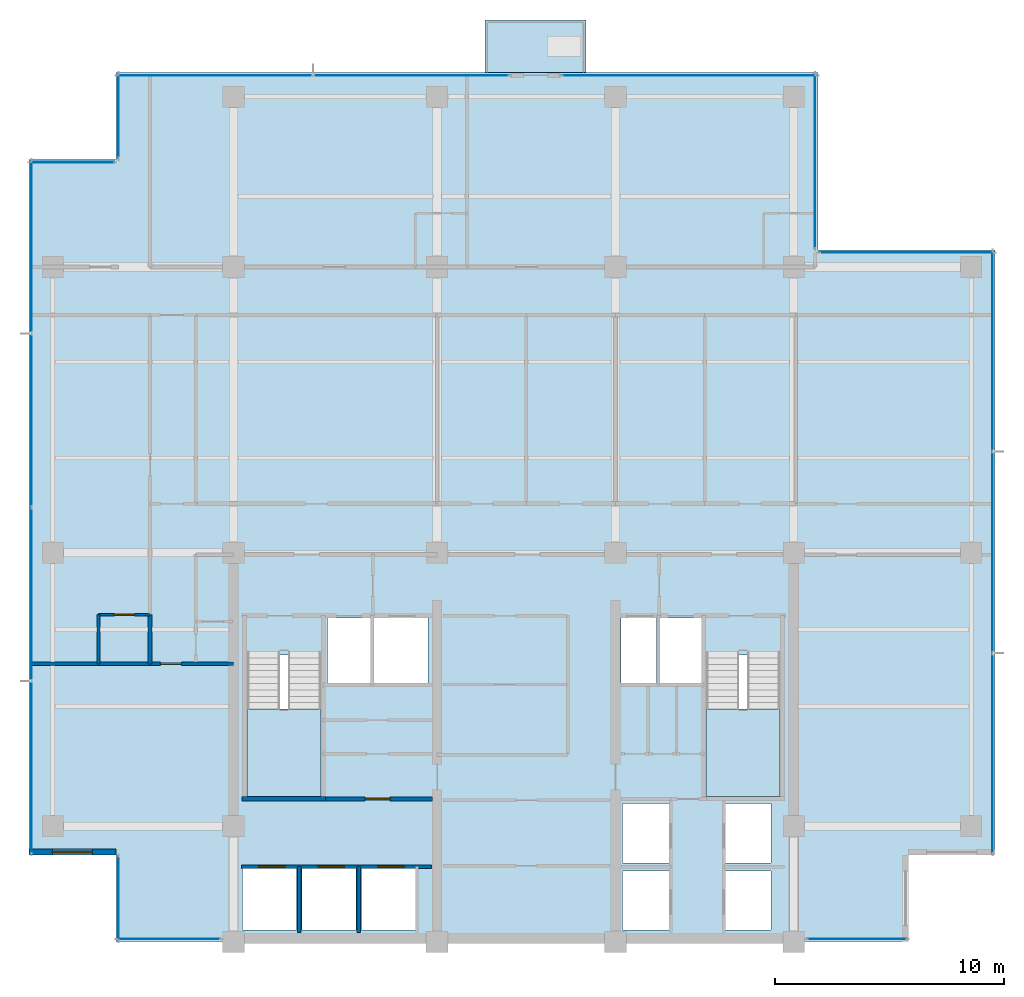
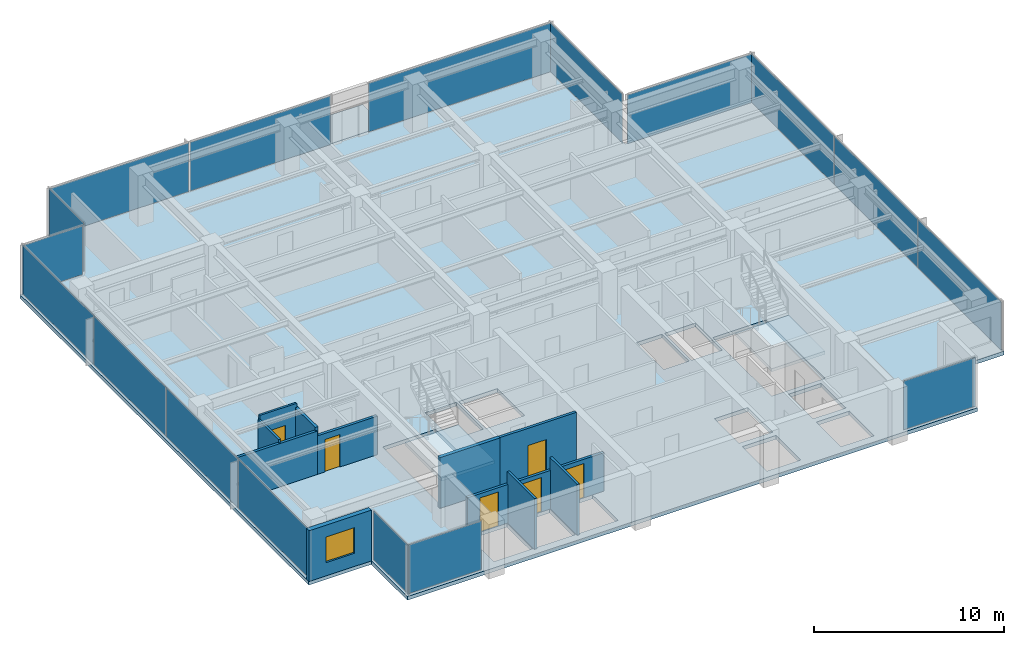
# One storey, part 6 of 15: 17 plates, 11 walls, 6 doors, 4 slabs, 1 window, 7 openings, 13 elements without a shape of their own.
"""IFC4 building model written with IfcOpenShell, lengths in metres."""

from ifc_helpers import new_model, si_unit, direction, frame, frame_2d, origin, origin_2d, place, context, subcontext, project, spatial, polyline, rectangle, outline, extrude, material, layer, layer_set, type_object, element, fill, aggregate, save


model = new_model("IFC4")

# Units and contexts
model_context = context("Model", 3, precision=1e-05, world=origin(), true_north=direction((0.0, 1.0)))
body_context = subcontext(model_context, "Body", "Model", "MODEL_VIEW")
ifc_project = project(units=[si_unit("LENGTHUNIT", "METRE"), si_unit("AREAUNIT", "SQUARE_METRE"), si_unit("VOLUMEUNIT", "CUBIC_METRE"), si_unit("PLANEANGLEUNIT", "RADIAN"), si_unit("MASSUNIT", "GRAM", prefix="KILO")], contexts=[model_context])

# Site, building, storey
site_placement = place(None, origin())
site = spatial("IfcSite", under=ifc_project, at=site_placement, CompositionType="ELEMENT")
building_placement = place(site_placement, origin())
building = spatial("IfcBuilding", under=site, at=building_placement, Name="Qalmaran Belvedere Hotel", CompositionType="ELEMENT")
storey_placement = place(building_placement, frame((0.0, 0.0, 221.39990234375)))
storey = spatial("IfcBuildingStorey", under=building, at=storey_placement, Name="L56", CompositionType="ELEMENT", Elevation=221.39990234375)

# Curtain wall, plate
ifc_material_1 = material(Name="Anodised Bronze Aluminium", Category="aluminium")
ifc_layer_1 = layer(ifc_material_1, 0.18994140625, Name="Anodised Bronze Aluminium")
ifc_layer_set_1 = layer_set([ifc_layer_1], Name="Anodised Bronze Aluminium")
curtain_wall_type = type_object("IfcCurtainWallType", Name="CW5-TOWER-UPPER", PredefinedType="NOTDEFINED", material=ifc_layer_set_1)
curtain_wall_1_placement = place(storey_placement, origin())
curtain_wall_1 = element("IfcCurtainWall", 1, at=curtain_wall_1_placement, inside=storey, type_object=curtain_wall_type, Name="L56 Curtain Wall CW5", PredefinedType="NOTDEFINED")
ifc_material_2 = material(Name="Solar-Control Double Glazing", Category="glass")
ifc_layer_2 = layer(ifc_material_2, 0.028076171875, Name="Solar-Control Double Glazing")
ifc_layer_set_2 = layer_set([ifc_layer_2], Name="Solar-Control Double Glazing")
plate_type = type_object("IfcPlateType", Name="CWP-VISION-28", PredefinedType="CURTAIN_PANEL", material=ifc_layer_set_2)
plate_1_placement = place(storey_placement, frame((17.467529296875, 3.6201171875, 0.065185546875), z_axis=(0.0, 0.0, 1.0), x_axis=(1.0, 0.0, 0.0)))
plate_1 = element("IfcPlate", 2, at=plate_1_placement, type_object=plate_type, Name="CW5 panel 1.1", PredefinedType="CURTAIN_PANEL", context=body_context, shape_type="SweptSolid", body=[
    extrude(rectangle(XDim=4.5048828125, YDim=0.028076171875, at=origin_2d()), origin(), (0.0, 0.0, 1.0), 3.1298828125),
])
aggregate(curtain_wall_1, [plate_1])

curtain_wall_2_placement = place(storey_placement, origin())
curtain_wall_2 = element("IfcCurtainWall", 3, at=curtain_wall_2_placement, inside=storey, type_object=curtain_wall_type, Name="L56 Curtain Wall CW5", PredefinedType="NOTDEFINED")
plate_2_placement = place(storey_placement, frame((47.5576171875, 3.6201171875, 0.065185546875), z_axis=(0.0, 0.0, 1.0), x_axis=(1.0, 0.0, 0.0)))
plate_2 = element("IfcPlate", 4, at=plate_2_placement, type_object=plate_type, Name="CW5 panel 1.1", PredefinedType="CURTAIN_PANEL", context=body_context, shape_type="SweptSolid", body=[
    extrude(rectangle(XDim=4.35498046875, YDim=0.028076171875, at=origin_2d()), origin(), (0.0, 0.0, 1.0), 3.1298828125),
])
aggregate(curtain_wall_2, [plate_2])

# Curtain wall, plates
curtain_wall_3_placement = place(storey_placement, origin())
curtain_wall_3 = element("IfcCurtainWall", 5, at=curtain_wall_3_placement, inside=storey, type_object=curtain_wall_type, Name="L56 Curtain Wall CW5", PredefinedType="NOTDEFINED")
plate_3_placement = place(storey_placement, frame((53.47998046875, 11.724609375, 0.065185546875), z_axis=(0.0, 0.0, 1.0), x_axis=(0.0, 1.0, 0.0)))
plate_3 = element("IfcPlate", 6, at=plate_3_placement, type_object=plate_type, Name="CW5 panel 1.1", PredefinedType="CURTAIN_PANEL", context=body_context, shape_type="SweptSolid", body=[
    extrude(rectangle(XDim=8.71923828125, YDim=0.028076171875, at=origin_2d()), origin(), (0.0, 0.0, 1.0), 3.1298828125),
])
plate_4_placement = place(storey_placement, frame((53.47998046875, 20.52490234375, 0.065185546875), z_axis=(0.0, 0.0, 1.0), x_axis=(0.0, 1.0, 0.0)))
plate_4 = element("IfcPlate", 7, at=plate_4_placement, type_object=plate_type, Name="CW5 panel 2.1", PredefinedType="CURTAIN_PANEL", context=body_context, shape_type="SweptSolid", body=[
    extrude(rectangle(XDim=8.751708984375, YDim=0.028076171875, at=origin_2d()), origin(), (0.0, 0.0, 1.0), 3.1298828125),
])
plate_5_placement = place(storey_placement, frame((53.47998046875, 29.325439453125, 0.065185546875), z_axis=(0.0, 0.0, 1.0), x_axis=(0.0, 1.0, 0.0)))
plate_5 = element("IfcPlate", 8, at=plate_5_placement, type_object=plate_type, Name="CW5 panel 3.1", PredefinedType="CURTAIN_PANEL", context=body_context, shape_type="SweptSolid", body=[
    extrude(rectangle(XDim=8.71923828125, YDim=0.028076171875, at=origin_2d()), origin(), (0.0, 0.0, 1.0), 3.1298828125),
])
aggregate(curtain_wall_3, [plate_3, plate_4, plate_5])

# Curtain wall, plate
curtain_wall_4_placement = place(storey_placement, origin())
curtain_wall_4 = element("IfcCurtainWall", 9, at=curtain_wall_4_placement, inside=storey, type_object=curtain_wall_type, Name="L56 Curtain Wall CW5", PredefinedType="NOTDEFINED")
plate_6_placement = place(storey_placement, frame((49.72509765625, 33.6298828125, 0.065185546875), z_axis=(0.0, 0.0, 1.0), x_axis=(-1.0, 0.0, 0.0)))
plate_6 = element("IfcPlate", 10, at=plate_6_placement, type_object=plate_type, Name="CW5 panel 1.1", PredefinedType="CURTAIN_PANEL", context=body_context, shape_type="SweptSolid", body=[
    extrude(rectangle(XDim=7.6201171875, YDim=0.028076171875, at=origin_2d()), origin(), (0.0, 0.0, 1.0), 3.1298828125),
])
aggregate(curtain_wall_4, [plate_6])

curtain_wall_5_placement = place(storey_placement, origin())
curtain_wall_5 = element("IfcCurtainWall", 11, at=curtain_wall_5_placement, inside=storey, type_object=curtain_wall_type, Name="L56 Curtain Wall CW5", PredefinedType="NOTDEFINED")
plate_7_placement = place(storey_placement, frame((45.72998046875, 37.625, 0.065185546875), z_axis=(0.0, 0.0, 1.0), x_axis=(0.0, 1.0, 0.0)))
plate_7 = element("IfcPlate", 12, at=plate_7_placement, type_object=plate_type, Name="CW5 panel 1.1", PredefinedType="CURTAIN_PANEL", context=body_context, shape_type="SweptSolid", body=[
    extrude(rectangle(XDim=7.6201171875, YDim=0.028076171875, at=origin_2d()), origin(), (0.0, 0.0, 1.0), 3.1298828125),
])
aggregate(curtain_wall_5, [plate_7])

# Curtain wall, plates
curtain_wall_6_placement = place(storey_placement, origin())
curtain_wall_6 = element("IfcCurtainWall", 13, at=curtain_wall_6_placement, inside=storey, type_object=curtain_wall_type, Name="L56 Curtain Wall CW5", PredefinedType="NOTDEFINED")
plate_8_placement = place(storey_placement, frame((28.0712890625, 41.3798828125, 0.065185546875), z_axis=(0.0, 0.0, 1.0), x_axis=(-1.0, 0.0, 0.0)))
plate_8 = element("IfcPlate", 14, at=plate_8_placement, type_object=plate_type, Name="CW5 panel 1.1", PredefinedType="CURTAIN_PANEL", context=body_context, shape_type="SweptSolid", body=[
    extrude(rectangle(XDim=8.527587890625, YDim=0.028076171875, at=origin_2d()), origin(), (0.0, 0.0, 1.0), 3.1298828125),
])
plate_9_placement = place(storey_placement, frame((19.478759765625, 41.3798828125, 0.065185546875), z_axis=(0.0, 0.0, 1.0), x_axis=(-1.0, 0.0, 0.0)))
plate_9 = element("IfcPlate", 15, at=plate_9_placement, type_object=plate_type, Name="CW5 panel 2.1", PredefinedType="CURTAIN_PANEL", context=body_context, shape_type="SweptSolid", body=[
    extrude(rectangle(XDim=8.527587890625, YDim=0.028076171875, at=origin_2d()), origin(), (0.0, 0.0, 1.0), 3.1298828125),
])
aggregate(curtain_wall_6, [plate_8, plate_9])

# Curtain wall, plate
curtain_wall_7_placement = place(storey_placement, origin())
curtain_wall_7 = element("IfcCurtainWall", 16, at=curtain_wall_7_placement, inside=storey, type_object=curtain_wall_type, Name="L56 Curtain Wall CW5", PredefinedType="NOTDEFINED")
plate_10_placement = place(storey_placement, frame((40.22509765625, 41.3798828125, 0.065185546875), z_axis=(0.0, 0.0, 1.0), x_axis=(-1.0, 0.0, 0.0)))
plate_10 = element("IfcPlate", 17, at=plate_10_placement, type_object=plate_type, Name="CW5 panel 1.1", PredefinedType="CURTAIN_PANEL", context=body_context, shape_type="SweptSolid", body=[
    extrude(rectangle(XDim=11.1201171875, YDim=0.028076171875, at=origin_2d()), origin(), (0.0, 0.0, 1.0), 3.1298828125),
])
aggregate(curtain_wall_7, [plate_10])

curtain_wall_8_placement = place(storey_placement, origin())
curtain_wall_8 = element("IfcCurtainWall", 18, at=curtain_wall_8_placement, inside=storey, type_object=curtain_wall_type, Name="L56 Curtain Wall CW5", PredefinedType="NOTDEFINED")
plate_11_placement = place(storey_placement, frame((15.27001953125, 39.60009765625, 0.065185546875), z_axis=(0.0, 0.0, 1.0), x_axis=(0.0, -1.0, 0.0)))
plate_11 = element("IfcPlate", 19, at=plate_11_placement, type_object=plate_type, Name="CW5 panel 1.1", PredefinedType="CURTAIN_PANEL", context=body_context, shape_type="SweptSolid", body=[
    extrude(rectangle(XDim=3.669921875, YDim=0.028076171875, at=origin_2d()), origin(), (0.0, 0.0, 1.0), 3.1298828125),
])
aggregate(curtain_wall_8, [plate_11])

curtain_wall_9_placement = place(storey_placement, origin())
curtain_wall_9 = element("IfcCurtainWall", 20, at=curtain_wall_9_placement, inside=storey, type_object=curtain_wall_type, Name="L56 Curtain Wall CW5", PredefinedType="NOTDEFINED")
plate_12_placement = place(storey_placement, frame((13.25, 37.580078125, 0.065185546875), z_axis=(0.0, 0.0, 1.0), x_axis=(-1.0, 0.0, 0.0)))
plate_12 = element("IfcPlate", 21, at=plate_12_placement, type_object=plate_type, Name="CW5 panel 1.1", PredefinedType="CURTAIN_PANEL", context=body_context, shape_type="SweptSolid", body=[
    extrude(rectangle(XDim=3.669921875, YDim=0.028076171875, at=origin_2d()), origin(), (0.0, 0.0, 1.0), 3.1298828125),
])
aggregate(curtain_wall_9, [plate_12])

# Curtain wall, plates
curtain_wall_10_placement = place(storey_placement, origin())
curtain_wall_10 = element("IfcCurtainWall", 22, at=curtain_wall_10_placement, inside=storey, type_object=curtain_wall_type, Name="L56 Curtain Wall CW5", PredefinedType="NOTDEFINED")
plate_13_placement = place(storey_placement, frame((11.469970703125, 33.8837890625, 0.065185546875), z_axis=(0.0, 0.0, 1.0), x_axis=(0.0, -1.0, 0.0)))
plate_13 = element("IfcPlate", 23, at=plate_13_placement, type_object=plate_type, Name="CW5 panel 1.1", PredefinedType="CURTAIN_PANEL", context=body_context, shape_type="SweptSolid", body=[
    extrude(rectangle(XDim=7.50244140625, YDim=0.028076171875, at=origin_2d()), origin(), (0.0, 0.0, 1.0), 3.1298828125),
])
plate_14_placement = place(storey_placement, frame((11.469970703125, 26.300048828125, 0.065185546875), z_axis=(0.0, 0.0, 1.0), x_axis=(0.0, -1.0, 0.0)))
plate_14 = element("IfcPlate", 24, at=plate_14_placement, type_object=plate_type, Name="CW5 panel 2.1", PredefinedType="CURTAIN_PANEL", context=body_context, shape_type="SweptSolid", body=[
    extrude(rectangle(XDim=7.534912109375, YDim=0.028076171875, at=origin_2d()), origin(), (0.0, 0.0, 1.0), 3.1298828125),
])
plate_15_placement = place(storey_placement, frame((11.469970703125, 18.699951171875, 0.065185546875), z_axis=(0.0, 0.0, 1.0), x_axis=(0.0, -1.0, 0.0)))
plate_15 = element("IfcPlate", 25, at=plate_15_placement, type_object=plate_type, Name="CW5 panel 3.1", PredefinedType="CURTAIN_PANEL", context=body_context, shape_type="SweptSolid", body=[
    extrude(rectangle(XDim=7.534912109375, YDim=0.028076171875, at=origin_2d()), origin(), (0.0, 0.0, 1.0), 3.1298828125),
])
plate_16_placement = place(storey_placement, frame((11.469970703125, 11.1162109375, 0.065185546875), z_axis=(0.0, 0.0, 1.0), x_axis=(0.0, -1.0, 0.0)))
plate_16 = element("IfcPlate", 26, at=plate_16_placement, type_object=plate_type, Name="CW5 panel 4.1", PredefinedType="CURTAIN_PANEL", context=body_context, shape_type="SweptSolid", body=[
    extrude(rectangle(XDim=7.50244140625, YDim=0.028076171875, at=origin_2d()), origin(), (0.0, 0.0, 1.0), 3.1298828125),
])
aggregate(curtain_wall_10, [plate_13, plate_14, plate_15, plate_16])

# Curtain wall, plate
curtain_wall_11_placement = place(storey_placement, origin())
curtain_wall_11 = element("IfcCurtainWall", 27, at=curtain_wall_11_placement, inside=storey, type_object=curtain_wall_type, Name="L56 Curtain Wall CW5", PredefinedType="NOTDEFINED")
plate_17_placement = place(storey_placement, frame((15.27001953125, 5.39990234375, 0.065185546875), z_axis=(0.0, 0.0, 1.0), x_axis=(0.0, -1.0, 0.0)))
plate_17 = element("IfcPlate", 28, at=plate_17_placement, type_object=plate_type, Name="CW5 panel 1.1", PredefinedType="CURTAIN_PANEL", context=body_context, shape_type="SweptSolid", body=[
    extrude(rectangle(XDim=3.669921875, YDim=0.028076171875, at=origin_2d()), origin(), (0.0, 0.0, 1.0), 3.1298828125),
])
aggregate(curtain_wall_11, [plate_17])

# Slab
ifc_material_3 = material(Name="Concrete C40/50", Category="concrete")
ifc_layer_3 = layer(ifc_material_3, 0.219970703125, Name="Concrete C40/50")
ifc_layer_set_3 = layer_set([ifc_layer_3], Name="Concrete C40/50")
slab_type_1 = type_object("IfcSlabType", Name="SLB-BAL-220", PredefinedType="USERDEFINED", material=ifc_layer_set_3)
slab_1_placement = place(storey_placement, frame((0.0, 0.0, -0.219970703125)))
element("IfcSlab", 29, at=slab_1_placement, inside=storey, type_object=slab_type_1, Name="L56 Planted Tree Balcony Slab 1", ObjectType="BALCONY", PredefinedType="USERDEFINED", context=body_context, shape_type="SweptSolid", body=[
    extrude(outline(polyline([(31.300048828125, 41.5), (35.699951171875, 41.5), (35.699951171875, 43.800048828125), (31.300048828125, 43.800048828125), (31.300048828125, 41.5)])), origin(), (0.0, 0.0, 1.0), 0.219970703125),
])

# Stair, slab
stair_type_1 = type_object("IfcStairType", Name="STR-ST-1-1450-R1750", PredefinedType="HALF_TURN_STAIR", material=ifc_material_3)
stair_1_placement = place(storey_placement, origin())
stair_1 = element("IfcStair", 30, at=stair_1_placement, inside=storey, type_object=stair_type_1, Name="L56 West Core Exit Stair ST-1", PredefinedType="HALF_TURN_STAIR")
ifc_layer_4 = layer(ifc_material_3, 0.199951171875, Name="Concrete C40/50")
ifc_layer_set_4 = layer_set([ifc_layer_4], Name="Concrete C40/50")
slab_type_2 = type_object("IfcSlabType", Name="SLB-STAIR-LANDING-200", PredefinedType="LANDING", material=ifc_layer_set_4)
slab_2_placement = place(storey_placement, frame((0.0, 0.0, 1.550048828125)))
slab_2 = element("IfcSlab", 31, at=slab_2_placement, type_object=slab_type_2, Name="ST-1 landing 1", PredefinedType="LANDING", context=body_context, shape_type="SweptSolid", body=[
    extrude(outline(polyline([(20.8798828125, 13.669921875), (20.8798828125, 9.85009765625), (24.1201171875, 9.85009765625), (24.1201171875, 13.669921875), (20.8798828125, 13.669921875)])), origin(), (0.0, 0.0, 1.0), 0.199951171875),
])
aggregate(stair_1, [slab_2])

stair_type_2 = type_object("IfcStairType", Name="STR-ST-2-1450-R1750", PredefinedType="HALF_TURN_STAIR", material=ifc_material_3)
stair_2_placement = place(storey_placement, origin())
stair_2 = element("IfcStair", 32, at=stair_2_placement, inside=storey, type_object=stair_type_2, Name="L56 East Core Exit Stair ST-2", PredefinedType="HALF_TURN_STAIR")
slab_3_placement = place(storey_placement, frame((0.0, 0.0, 1.550048828125)))
slab_3 = element("IfcSlab", 33, at=slab_3_placement, type_object=slab_type_2, Name="ST-2 landing 1", PredefinedType="LANDING", context=body_context, shape_type="SweptSolid", body=[
    extrude(outline(polyline([(40.9599609375, 13.669921875), (40.9599609375, 9.85009765625), (44.199951171875, 9.85009765625), (44.199951171875, 13.669921875), (40.9599609375, 13.669921875)])), origin(), (0.0, 0.0, 1.0), 0.199951171875),
])
aggregate(stair_2, [slab_3])

# Slab
ifc_layer_5 = layer(ifc_material_3, 0.239990234375, Name="Concrete C40/50")
ifc_layer_set_5 = layer_set([ifc_layer_5], Name="Concrete C40/50")
slab_type_3 = type_object("IfcSlabType", Name="SLB-Z4-240", PredefinedType="FLOOR", material=ifc_layer_set_5)
slab_4_placement = place(storey_placement, frame((0.0, 0.0, -0.239990234375)))
element("IfcSlab", 34, at=slab_4_placement, inside=storey, type_object=slab_type_3, Name="L56 Structural Floor Slab", PredefinedType="FLOOR", context=body_context, shape_type="SweptSolid", body=[
    extrude(outline(polyline([(15.14990234375, 3.5), (49.800048828125, 3.5), (49.800048828125, 7.300048828125), (53.60009765625, 7.300048828125), (53.60009765625, 33.75), (45.85009765625, 33.75), (45.85009765625, 41.5), (15.14990234375, 41.5), (15.14990234375, 37.699951171875), (11.35009765625, 37.699951171875), (11.35009765625, 7.300048828125), (15.14990234375, 7.300048828125), (15.14990234375, 3.5)]), holes=[polyline([(20.8798828125, 9.85009765625), (24.1201171875, 9.85009765625), (24.1201171875, 16.0400390625), (20.8798828125, 16.0400390625), (20.8798828125, 9.85009765625)]), polyline([(40.9599609375, 9.85009765625), (44.199951171875, 9.85009765625), (44.199951171875, 16.0400390625), (40.9599609375, 16.0400390625), (40.9599609375, 9.85009765625)]), polyline([(37.300048828125, 4.0), (39.35009765625, 4.0), (39.35009765625, 6.60009765625), (37.300048828125, 6.60009765625), (37.300048828125, 4.0)]), polyline([(37.300048828125, 6.949951171875), (39.35009765625, 6.949951171875), (39.35009765625, 9.550048828125), (37.300048828125, 9.550048828125), (37.300048828125, 6.949951171875)]), polyline([(41.800048828125, 4.0), (43.800048828125, 4.0), (43.800048828125, 6.60009765625), (41.800048828125, 6.60009765625), (41.800048828125, 4.0)]), polyline([(41.800048828125, 6.949951171875), (43.800048828125, 6.949951171875), (43.800048828125, 9.550048828125), (41.800048828125, 9.550048828125), (41.800048828125, 6.949951171875)]), polyline([(20.699951171875, 4.0), (23.050048828125, 4.0), (23.050048828125, 6.699951171875), (20.699951171875, 6.699951171875), (20.699951171875, 4.0)]), polyline([(23.300048828125, 4.0), (25.64990234375, 4.0), (25.64990234375, 6.699951171875), (23.300048828125, 6.699951171875), (23.300048828125, 4.0)]), polyline([(25.89990234375, 4.0), (28.25, 4.0), (28.25, 6.699951171875), (25.89990234375, 6.699951171875), (25.89990234375, 4.0)]), polyline([(24.39990234375, 14.800048828125), (26.300048828125, 14.800048828125), (26.300048828125, 17.64990234375), (24.39990234375, 17.64990234375), (24.39990234375, 14.800048828125)]), polyline([(38.949951171875, 14.800048828125), (40.820068359375, 14.800048828125), (40.820068359375, 17.64990234375), (38.949951171875, 17.64990234375), (38.949951171875, 14.800048828125)]), polyline([(26.449951171875, 14.800048828125), (28.800048828125, 14.800048828125), (28.800048828125, 17.64990234375), (26.449951171875, 17.64990234375), (26.449951171875, 14.800048828125)]), polyline([(37.25, 14.800048828125), (38.800048828125, 14.800048828125), (38.800048828125, 17.64990234375), (37.25, 17.64990234375), (37.25, 14.800048828125)])]), origin(), (0.0, 0.0, 1.0), 0.239990234375),
])

# Wall, opening, window
ifc_material_4 = material(Name="Anodised Bronze Cladding")
ifc_layer_6 = layer(ifc_material_4, 0.280029296875, Name="Anodised Bronze Cladding")
ifc_layer_set_6 = layer_set([ifc_layer_6], Name="Anodised Bronze Cladding")
wall_type_1 = type_object("IfcWallType", Name="WL-EXT-BRNZ-280", PredefinedType="SOLIDWALL", material=ifc_layer_set_6)
wall_1_placement = place(storey_placement, frame((11.35009765625, 7.419921875, 0.0), z_axis=(0.0, 0.0, 1.0), x_axis=(1.0, 0.0, 0.0)))
wall_1 = element("IfcWall", 35, at=wall_1_placement, inside=storey, type_object=wall_type_1, Name="L56 Corner Notch Wall 10", PredefinedType="SOLIDWALL", context=body_context, shape_type="SweptSolid", body=[
    extrude(rectangle(XDim=3.7998046875, YDim=0.280029296875, at=frame_2d((1.89990234375, 0.0))), origin(), (0.0, 0.0, 1.0), 3.260009765625),
])
opening_1_placement = place(wall_1_placement, frame((1.02490234375, 0.0, 0.85009765625)))
opening_1 = element("IfcOpeningElement", 36, at=opening_1_placement, cuts=wall_1, Name="Opening W-N17", PredefinedType="OPENING", context=body_context, shape_type="SweptSolid", body=[
    extrude(rectangle(XDim=1.75, YDim=1.64990234375, at=frame_2d((0.875, 0.824951171875))), frame((0.0, 0.14990234375, 0.0), z_axis=(0.0, -1.0, 0.0), x_axis=(1.0, 0.0, 0.0)), (0.0, 0.0, 1.0), 0.300048828125),
])
window_type = type_object("IfcWindowType", Name="WN-NTC-1750X1650", PartitioningType="SINGLE_PANEL", PredefinedType="WINDOW", material=ifc_material_2)
window_placement = place(opening_1_placement, origin())
window = element("IfcWindow", 37, at=window_placement, inside=storey, type_object=window_type, Name="L56 Corner Notch Window 10", OverallHeight=1.64990234375, OverallWidth=1.75, PartitioningType="SINGLE_PANEL", PredefinedType="WINDOW", context=body_context, shape_type="SweptSolid", body=[
    extrude(rectangle(XDim=1.75, YDim=1.64990234375, at=frame_2d((0.875, 0.824951171875))), frame((0.0, 0.030029296875, 0.0), z_axis=(0.0, -1.0, 0.0), x_axis=(1.0, 0.0, 0.0)), (0.0, 0.0, 1.0), 0.06005859375),
])
fill(opening_1, window)

# Wall, opening, door
ifc_material_5 = material(Name="Moisture-Resistant Gypsum")
ifc_layer_7 = layer(ifc_material_5, 0.1201171875, Name="Moisture-Resistant Gypsum")
ifc_layer_set_7 = layer_set([ifc_layer_7], Name="Moisture-Resistant Gypsum")
wall_type_2 = type_object("IfcWallType", Name="WL-INT-120-BATH", PredefinedType="PARTITIONING", material=ifc_layer_set_7)
wall_2_placement = place(storey_placement, frame((14.39990234375, 17.800048828125, 0.0), z_axis=(0.0, 0.0, 1.0), x_axis=(1.0, 0.0, 0.0)))
wall_2 = element("IfcWall", 38, at=wall_2_placement, inside=storey, type_object=wall_type_2, Name="L56 Partition WL-L56-WBN00", PredefinedType="PARTITIONING", context=body_context, shape_type="SweptSolid", body=[
    extrude(rectangle(XDim=2.25, YDim=0.1201171875, at=frame_2d((1.125, 0.0))), origin(), (0.0, 0.0, 1.0), 3.260009765625),
])
opening_2_placement = place(wall_2_placement, frame((1.56494140625, 0.0, 0.0), z_axis=(0.0, 0.0, 1.0), x_axis=(-1.0, 0.0, 0.0)))
opening_2 = element("IfcOpeningElement", 39, at=opening_2_placement, cuts=wall_2, Name="Opening D-BATH", PredefinedType="OPENING", context=body_context, shape_type="SweptSolid", body=[
    extrude(rectangle(XDim=0.8798828125, YDim=2.080078125, at=frame_2d((0.43994140625, 1.0400390625))), frame((0.0, 0.070068359375, 0.0), z_axis=(0.0, -1.0, 0.0), x_axis=(1.0, 0.0, 0.0)), (0.0, 0.0, 1.0), 0.14013671875),
])
ifc_material_6 = material(Name="Engineered Oak Veneer")
door_type_1 = type_object("IfcDoorType", Name="DR-INT-BATH-880X2080", OperationType="NOTDEFINED", PredefinedType="DOOR", material=ifc_material_6)
door_1_placement = place(opening_2_placement, origin())
door_1 = element("IfcDoor", 40, at=door_1_placement, inside=storey, type_object=door_type_1, Name="L56 W Ensuite Door 01", OperationType="SINGLE_SWING_LEFT", OverallHeight=2.080078125, OverallWidth=0.8798828125, PredefinedType="DOOR", context=body_context, shape_type="SweptSolid", body=[
    extrude(rectangle(XDim=0.8798828125, YDim=2.080078125, at=frame_2d((0.43994140625, 1.0400390625))), frame((0.0, 0.02490234375, 0.0), z_axis=(0.0, -1.0, 0.0), x_axis=(1.0, 0.0, 0.0)), (0.0, 0.0, 1.0), 0.050048828125),
])
fill(opening_2, door_1)

# Walls
wall_3_placement = place(storey_placement, frame((14.39990234375, 15.64990234375, 0.0), z_axis=(0.0, 0.0, 1.0), x_axis=(0.0, 1.0, 0.0)))
element("IfcWall", 41, at=wall_3_placement, inside=storey, type_object=wall_type_2, Name="L56 Partition WL-L56-WBS00", PredefinedType="PARTITIONING", context=body_context, shape_type="SweptSolid", body=[
    extrude(rectangle(XDim=2.150146484375, YDim=0.1201171875, at=frame_2d((1.0751953125, 0.0))), origin(), (0.0, 0.0, 1.0), 2.998046875),
])
ifc_material_7 = material(Name="Gypsum Stud Partition")
ifc_layer_8 = layer(ifc_material_7, 0.14990234375, Name="Gypsum Stud Partition")
ifc_layer_set_8 = layer_set([ifc_layer_8], Name="Gypsum Stud Partition")
wall_type_3 = type_object("IfcWallType", Name="WL-INT-150-EI120", PredefinedType="PARTITIONING", material=ifc_layer_set_8)
for number, where, z_axis, x_axis, name in (
    (42, (23.179931640625, 3.89990234375, 0.0), (0.0, 0.0, 1.0), (0.0, 1.0, 0.0), "L56 Partition WL-POM1-L56"),
    (43, (25.780029296875, 3.89990234375, 0.0), (0.0, 0.0, 1.0), (0.0, 1.0, 0.0), "L56 Partition WL-POM2-L56"),
):
    element("IfcWall", number, at=place(storey_placement, frame(where, z_axis=z_axis, x_axis=x_axis)), inside=storey, type_object=wall_type_3, Name=name, PredefinedType="PARTITIONING", context=body_context, shape_type="SweptSolid", body=[
        extrude(rectangle(XDim=2.880126953125, YDim=0.14990234375, at=frame_2d((1.43994140625, 0.0))), origin(), (0.0, 0.0, 1.0), 3.260009765625),
    ])

# Wall, openings, doors
ifc_layer_9 = layer(ifc_material_7, 0.159912109375, Name="Gypsum Stud Partition")
ifc_layer_set_9 = layer_set([ifc_layer_9], Name="Gypsum Stud Partition")
wall_type_4 = type_object("IfcWallType", Name="WL-INT-160-EI120", PredefinedType="PARTITIONING", material=ifc_layer_set_9)
wall_4_placement = place(storey_placement, frame((20.64990234375, 6.780029296875, 0.0), z_axis=(0.0, 0.0, 1.0), x_axis=(1.0, 0.0, 0.0)))
wall_4 = element("IfcWall", 44, at=wall_4_placement, inside=storey, type_object=wall_type_4, Name="L56 Partition WL-POS-L56", PredefinedType="PARTITIONING", context=body_context, shape_type="SweptSolid", body=[
    extrude(rectangle(XDim=8.300048828125, YDim=0.159912109375, at=frame_2d((4.14990234375, 0.0))), origin(), (0.0, 0.0, 1.0), 2.47216796875),
])
opening_3_placement = place(wall_4_placement, frame((0.75, 0.0, 0.0)))
opening_3 = element("IfcOpeningElement", 45, at=opening_3_placement, cuts=wall_4, Name="Opening LD-PO", PredefinedType="OPENING", context=body_context, shape_type="SweptSolid", body=[
    extrude(rectangle(XDim=1.14990234375, YDim=2.199951171875, at=frame_2d((0.574951171875, 1.10009765625))), frame((0.0, 0.08984375, 0.0), z_axis=(0.0, -1.0, 0.0), x_axis=(1.0, 0.0, 0.0)), (0.0, 0.0, 1.0), 0.179931640625),
])
opening_4_placement = place(wall_4_placement, frame((3.35009765625, 0.0, 0.0)))
opening_4 = element("IfcOpeningElement", 46, at=opening_4_placement, cuts=wall_4, Name="Opening LD-PO", PredefinedType="OPENING", context=body_context, shape_type="SweptSolid", body=[
    extrude(rectangle(XDim=1.14990234375, YDim=2.199951171875, at=frame_2d((0.574951171875, 1.10009765625))), frame((0.0, 0.08984375, 0.0), z_axis=(0.0, -1.0, 0.0), x_axis=(1.0, 0.0, 0.0)), (0.0, 0.0, 1.0), 0.179931640625),
])
opening_5_placement = place(wall_4_placement, frame((5.949951171875, 0.0, 0.0)))
opening_5 = element("IfcOpeningElement", 47, at=opening_5_placement, cuts=wall_4, Name="Opening LD-PO", PredefinedType="OPENING", context=body_context, shape_type="SweptSolid", body=[
    extrude(rectangle(XDim=1.14990234375, YDim=2.199951171875, at=frame_2d((0.574951171875, 1.10009765625))), frame((0.0, 0.08984375, 0.0), z_axis=(0.0, -1.0, 0.0), x_axis=(1.0, 0.0, 0.0)), (0.0, 0.0, 1.0), 0.179931640625),
])
door_type_2 = type_object("IfcDoorType", Name="DR-LIFT-PO-1150X2200", OperationType="DOUBLE_DOOR_SLIDING", PredefinedType="DOOR", material=ifc_material_1)
door_2_placement = place(opening_3_placement, origin())
door_2 = element("IfcDoor", 48, at=door_2_placement, inside=storey, type_object=door_type_2, Name="L56 PO1 Shuttle Landing Door", OperationType="DOUBLE_DOOR_SLIDING", OverallHeight=2.199951171875, OverallWidth=1.14990234375, PredefinedType="DOOR", context=body_context, shape_type="SweptSolid", body=[
    extrude(rectangle(XDim=1.14990234375, YDim=2.199951171875, at=frame_2d((0.574951171875, 1.10009765625))), frame((0.0, 0.02490234375, 0.0), z_axis=(0.0, -1.0, 0.0), x_axis=(1.0, 0.0, 0.0)), (0.0, 0.0, 1.0), 0.050048828125),
])
fill(opening_3, door_2)
door_3_placement = place(opening_4_placement, origin())
door_3 = element("IfcDoor", 49, at=door_3_placement, inside=storey, type_object=door_type_2, Name="L56 PO2 Shuttle Landing Door", OperationType="DOUBLE_DOOR_SLIDING", OverallHeight=2.199951171875, OverallWidth=1.14990234375, PredefinedType="DOOR", context=body_context, shape_type="SweptSolid", body=[
    extrude(rectangle(XDim=1.14990234375, YDim=2.199951171875, at=frame_2d((0.574951171875, 1.10009765625))), frame((0.0, 0.02490234375, 0.0), z_axis=(0.0, -1.0, 0.0), x_axis=(1.0, 0.0, 0.0)), (0.0, 0.0, 1.0), 0.050048828125),
])
fill(opening_4, door_3)
door_4_placement = place(opening_5_placement, origin())
door_4 = element("IfcDoor", 50, at=door_4_placement, inside=storey, type_object=door_type_2, Name="L56 PO3 Shuttle Landing Door", OperationType="DOUBLE_DOOR_SLIDING", OverallHeight=2.199951171875, OverallWidth=1.14990234375, PredefinedType="DOOR", context=body_context, shape_type="SweptSolid", body=[
    extrude(rectangle(XDim=1.14990234375, YDim=2.199951171875, at=frame_2d((0.574951171875, 1.10009765625))), frame((0.0, 0.02490234375, 0.0), z_axis=(0.0, -1.0, 0.0), x_axis=(1.0, 0.0, 0.0)), (0.0, 0.0, 1.0), 0.050048828125),
])
fill(opening_5, door_4)

# Wall, opening, door
wall_5_placement = place(storey_placement, frame((24.199951171875, 9.739990234375, 0.0), z_axis=(0.0, 0.0, 1.0), x_axis=(1.0, 0.0, 0.0)))
wall_5 = element("IfcWall", 51, at=wall_5_placement, inside=storey, type_object=wall_type_4, Name="L56 Partition WL-PON-L56", PredefinedType="PARTITIONING", context=body_context, shape_type="SweptSolid", body=[
    extrude(rectangle(XDim=4.800048828125, YDim=0.159912109375, at=frame_2d((2.39990234375, 0.0))), origin(), (0.0, 0.0, 1.0), 3.260009765625),
])
opening_6_placement = place(wall_5_placement, frame((1.85009765625, 0.0, 0.0)))
opening_6 = element("IfcOpeningElement", 52, at=opening_6_placement, cuts=wall_5, Name="Opening FD90", PredefinedType="OPENING", context=body_context, shape_type="SweptSolid", body=[
    extrude(rectangle(XDim=1.10009765625, YDim=2.14990234375, at=frame_2d((0.550048828125, 1.074951171875))), frame((0.0, 0.08984375, 0.0), z_axis=(0.0, -1.0, 0.0), x_axis=(1.0, 0.0, 0.0)), (0.0, 0.0, 1.0), 0.179931640625),
])
ifc_material_8 = material(Name="Steel S355JR", Category="steel")
door_type_3 = type_object("IfcDoorType", Name="DR-FD90-1100X2150", OperationType="NOTDEFINED", PredefinedType="DOOR", material=ifc_material_8)
door_5_placement = place(opening_6_placement, origin())
door_5 = element("IfcDoor", 53, at=door_5_placement, inside=storey, type_object=door_type_3, Name="L56 Shuttle Lobby Passage Door", OperationType="SINGLE_SWING_RIGHT", OverallHeight=2.14990234375, OverallWidth=1.10009765625, PredefinedType="DOOR", context=body_context, shape_type="SweptSolid", body=[
    extrude(rectangle(XDim=1.10009765625, YDim=2.14990234375, at=frame_2d((0.550048828125, 1.074951171875))), frame((0.0, 0.02490234375, 0.0), z_axis=(0.0, -1.0, 0.0), x_axis=(1.0, 0.0, 0.0)), (0.0, 0.0, 1.0), 0.050048828125),
])
fill(opening_6, door_5)

ifc_layer_10 = layer(ifc_material_7, 0.159912109375, Name="Gypsum Stud Partition")
ifc_layer_set_10 = layer_set([ifc_layer_10], Name="Gypsum Stud Partition")
wall_type_5 = type_object("IfcWallType", Name="WL-INT-160-EI60", PredefinedType="PARTITIONING", material=ifc_layer_set_10)
wall_6_placement = place(storey_placement, frame((16.64990234375, 15.64990234375, 0.0), z_axis=(0.0, 0.0, 1.0), x_axis=(1.0, 0.0, 0.0)))
wall_6 = element("IfcWall", 54, at=wall_6_placement, inside=storey, type_object=wall_type_5, Name="L56 Partition WL-L56-SWRL", PredefinedType="PARTITIONING", context=body_context, shape_type="SweptSolid", body=[
    extrude(rectangle(XDim=3.650146484375, YDim=0.159912109375, at=frame_2d((1.8251953125, 0.0))), origin(), (0.0, 0.0, 1.0), 2.47216796875),
])
opening_7_placement = place(wall_6_placement, frame((1.369873046875, 0.0, 0.0), z_axis=(0.0, 0.0, 1.0), x_axis=(-1.0, 0.0, 0.0)))
opening_7 = element("IfcOpeningElement", 55, at=opening_7_placement, cuts=wall_6, Name="Opening FD60S1", PredefinedType="OPENING", context=body_context, shape_type="SweptSolid", body=[
    extrude(rectangle(XDim=0.919921875, YDim=2.080078125, at=frame_2d((0.4599609375, 1.0400390625))), frame((0.0, 0.08984375, 0.0), z_axis=(0.0, -1.0, 0.0), x_axis=(1.0, 0.0, 0.0)), (0.0, 0.0, 1.0), 0.179931640625),
])
door_type_4 = type_object("IfcDoorType", Name="DR-FD60S-920X2080", OperationType="NOTDEFINED", PredefinedType="DOOR", material=ifc_material_6)
door_6_placement = place(opening_7_placement, origin())
door_6 = element("IfcDoor", 56, at=door_6_placement, inside=storey, type_object=door_type_4, Name="L56 SW Study Door", OperationType="SINGLE_SWING_RIGHT", OverallHeight=2.080078125, OverallWidth=0.919921875, PredefinedType="DOOR", context=body_context, shape_type="SweptSolid", body=[
    extrude(rectangle(XDim=0.919921875, YDim=2.080078125, at=frame_2d((0.4599609375, 1.0400390625))), frame((0.0, 0.02490234375, 0.0), z_axis=(0.0, -1.0, 0.0), x_axis=(1.0, 0.0, 0.0)), (0.0, 0.0, 1.0), 0.050048828125),
])
fill(opening_7, door_6)

# Walls
wall_7_placement = place(storey_placement, frame((11.469970703125, 15.64990234375, 0.0), z_axis=(0.0, 0.0, 1.0), x_axis=(1.0, 0.0, 0.0)))
element("IfcWall", 57, at=wall_7_placement, inside=storey, type_object=wall_type_5, Name="L56 Partition WL-L56-WBOT", PredefinedType="PARTITIONING", context=body_context, shape_type="SweptSolid", body=[
    extrude(rectangle(XDim=5.179931640625, YDim=0.159912109375, at=frame_2d((2.58984375, 0.0))), origin(), (0.0, 0.0, 1.0), 2.781982421875),
])
ifc_layer_11 = layer(ifc_material_7, 0.179931640625, Name="Gypsum Stud Partition")
ifc_layer_set_11 = layer_set([ifc_layer_11], Name="Gypsum Stud Partition")
wall_type_6 = type_object("IfcWallType", Name="WL-INT-180-EI60", PredefinedType="PARTITIONING", material=ifc_layer_set_11)
wall_8_placement = place(storey_placement, frame((16.64990234375, 15.64990234375, 0.0), z_axis=(0.0, 0.0, 1.0), x_axis=(0.0, 1.0, 0.0)))
element("IfcWall", 58, at=wall_8_placement, inside=storey, type_object=wall_type_6, Name="L56 Partition WL-L56-WBC00", PredefinedType="PARTITIONING", context=body_context, shape_type="SweptSolid", body=[
    extrude(rectangle(XDim=2.150146484375, YDim=0.179931640625, at=frame_2d((1.0751953125, 0.0))), origin(), (0.0, 0.0, 1.0), 2.998046875),
])
ifc_material_9 = material(Name="Concrete C50/60", Category="concrete")
ifc_layer_12 = layer(ifc_material_9, 0.2099609375, Name="Concrete C50/60")
ifc_layer_set_12 = layer_set([ifc_layer_12], Name="Concrete C50/60")
wall_type_7 = type_object("IfcWallType", Name="WL-STAIR-210-C50", PredefinedType="SHEAR", material=ifc_layer_set_12)
wall_9_placement = place(storey_placement, frame((20.669921875, 9.7451171875, 0.0), z_axis=(0.0, 0.0, 1.0), x_axis=(1.0, 0.0, 0.0)))
element("IfcWall", 59, at=wall_9_placement, inside=storey, type_object=wall_type_7, Name="L56 Stair ST-1 South Bearing Wall", PredefinedType="SHEAR", context=body_context, shape_type="SweptSolid", body=[
    extrude(rectangle(XDim=3.66015625, YDim=0.2099609375, at=frame_2d((1.830078125, 0.0))), origin(), (0.0, 0.0, 1.0), 3.260009765625),
])

save(model, "model.ifc")
